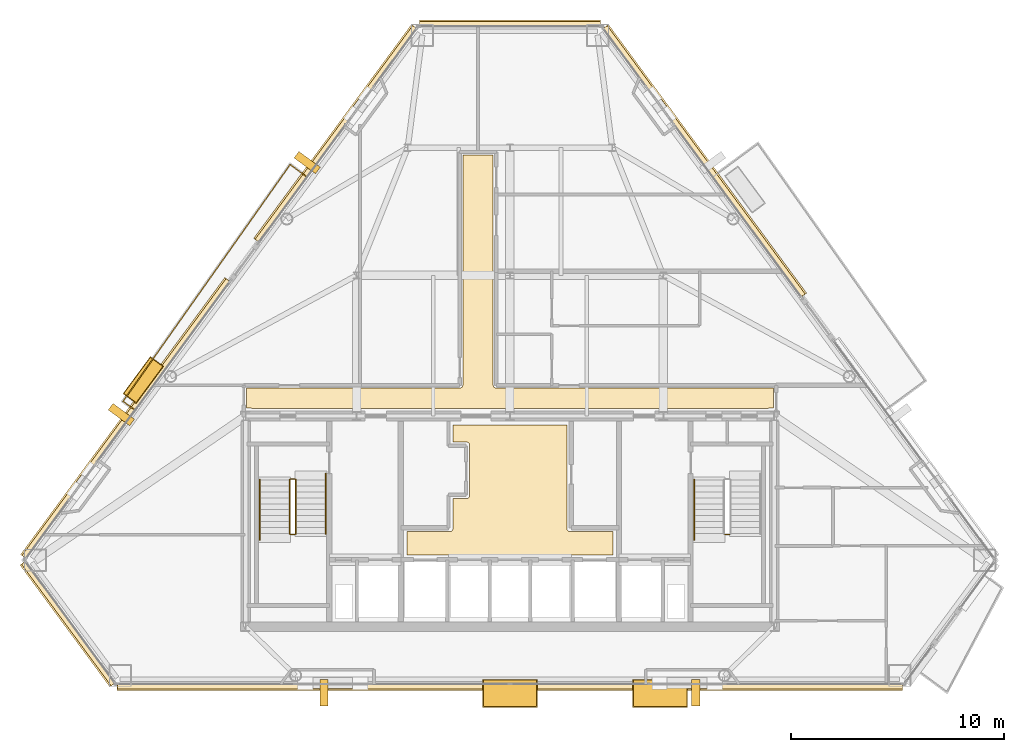
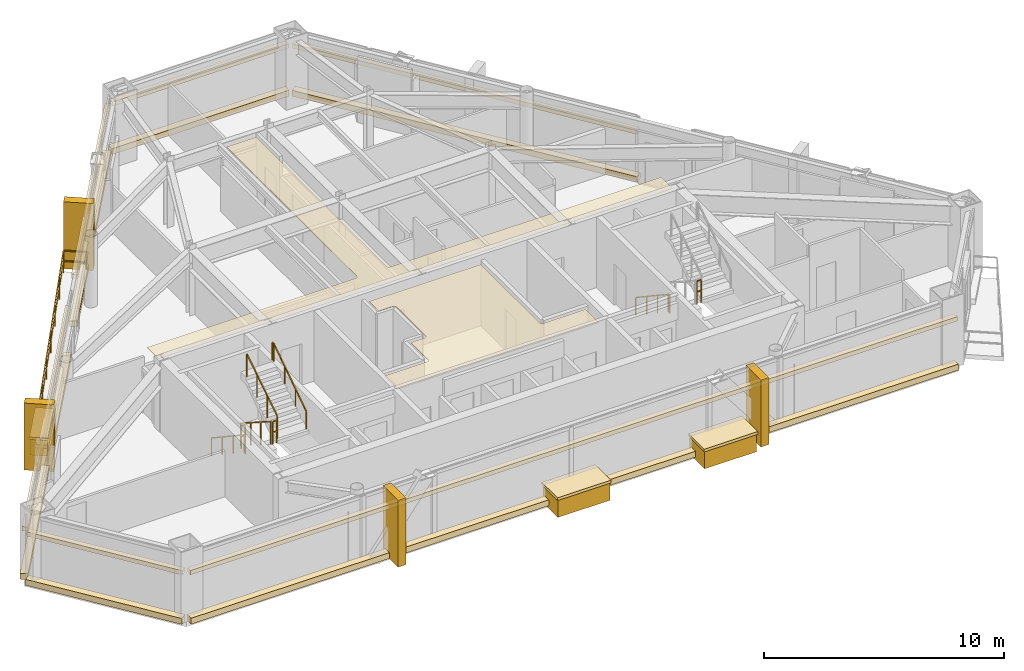
# One storey, part 10 of 11: 24 coverings, 9 railings.
"""IFC4 building model written with IfcOpenShell, lengths in metres."""

from ifc_helpers import new_model, si_unit, direction, frame, origin, origin_2d, place, context, subcontext, project, spatial, polyline, rectangle, outline, extrude, material, layer, layer_set, type_object, element, save


model = new_model("IFC4")

# Units and contexts
model_context = context("Model", 3, precision=1e-05, world=origin(), true_north=direction((0.0, 1.0)))
body_context = subcontext(model_context, "Body", "Model", "MODEL_VIEW")
ifc_project = project(units=[si_unit("LENGTHUNIT", "METRE"), si_unit("AREAUNIT", "SQUARE_METRE"), si_unit("VOLUMEUNIT", "CUBIC_METRE"), si_unit("PLANEANGLEUNIT", "RADIAN"), si_unit("MASSUNIT", "GRAM", prefix="KILO")], contexts=[model_context])

# Site, building, storey
site_placement = place(None, origin())
site = spatial("IfcSite", under=ifc_project, at=site_placement, CompositionType="ELEMENT")
building_placement = place(site_placement, origin())
building = spatial("IfcBuilding", under=site, at=building_placement, Name="Talgorran Terracotta Tower", CompositionType="ELEMENT")
storey_placement = place(building_placement, frame((0.0, 0.0, 178.5)))
storey = spatial("IfcBuildingStorey", under=building, at=storey_placement, Name="L46", CompositionType="ELEMENT", Elevation=178.5)

# Coverings
ifc_material_1 = material(Name="Kiln-Fired Terracotta Ochre Ceramic", Category="masonry")
ifc_layer_1 = layer(ifc_material_1, 0.179931640625, Name="COV_BAGUETTE_TERRACOTTA_SCREEN")
ifc_layer_set_1 = layer_set([ifc_layer_1], Name="Kiln-Fired Terracotta Ochre Ceramic")
covering_type_1 = type_object("IfcCoveringType", Name="COV_BAGUETTE_TERRACOTTA_SCREEN", PredefinedType="CLADDING", material=ifc_layer_set_1)
covering_1_placement = place(storey_placement, frame((-20.727294921875, -13.937255859375, 2.41015625), z_axis=(0.0, 0.0, 1.0), x_axis=(0.593489124579, -0.804842008724, 0.0)))
element("IfcCovering", 1, at=covering_1_placement, inside=storey, type_object=covering_type_1, Name="L46 Terracotta Baguette Solar Screen Assembly F0", PredefinedType="CLADDING", context=body_context, shape_type="SweptSolid", body=[
    extrude(rectangle(XDim=7.08544921875, YDim=0.260009765625, at=origin_2d()), origin(), (0.0, 0.0, 1.0), 0.219970703125),
])
covering_2_placement = place(storey_placement, frame((0.0, -16.885498046875, 2.41015625), z_axis=(0.0, 0.0, 1.0), x_axis=(1.0, 0.0, 0.0)))
element("IfcCovering", 2, at=covering_2_placement, inside=storey, type_object=covering_type_1, Name="L46 Terracotta Baguette Solar Screen Assembly F1", PredefinedType="CLADDING", context=body_context, shape_type="SweptSolid", body=[
    extrude(rectangle(XDim=36.865478515625, YDim=0.260009765625, at=origin_2d()), origin(), (0.0, 0.0, 1.0), 0.219970703125),
])
covering_3_placement = place(storey_placement, frame((9.107421875, 7.75439453125, 2.41015625), z_axis=(0.0, 0.0, 1.0), x_axis=(-0.593489124579, 0.804842008724, 0.0)))
element("IfcCovering", 3, at=covering_3_placement, inside=storey, type_object=covering_type_1, Name="L46 Terracotta Baguette Solar Screen Assembly F41", PredefinedType="CLADDING", context=body_context, shape_type="SweptSolid", body=[
    extrude(rectangle(XDim=15.6552734375, YDim=0.260009765625, at=origin_2d()), origin(), (0.0, 0.0, 1.0), 0.219970703125),
])
covering_4_placement = place(storey_placement, frame((0.0, 14.18359375, 2.41015625), z_axis=(0.0, 0.0, 1.0), x_axis=(-1.0, 0.0, 0.0)))
element("IfcCovering", 4, at=covering_4_placement, inside=storey, type_object=covering_type_1, Name="L46 Terracotta Baguette Solar Screen Assembly F4", PredefinedType="CLADDING", context=body_context, shape_type="SweptSolid", body=[
    extrude(rectangle(XDim=8.4921875, YDim=0.260009765625, at=origin_2d()), origin(), (0.0, 0.0, 1.0), 0.219970703125),
])
covering_5_placement = place(storey_placement, frame((-8.16064453125, 9.038330078125, 2.41015625), z_axis=(0.0, 0.0, 1.0), x_axis=(-0.593489124579, -0.804842008724, 0.0)))
element("IfcCovering", 5, at=covering_5_placement, inside=storey, type_object=covering_type_1, Name="L46 Terracotta Baguette Solar Screen Assembly F60", PredefinedType="CLADDING", context=body_context, shape_type="SweptSolid", body=[
    extrude(rectangle(XDim=12.464599609375, YDim=0.260009765625, at=origin_2d()), origin(), (0.0, 0.0, 1.0), 0.219970703125),
])
covering_6_placement = place(storey_placement, frame((-18.015380859375, -4.32568359375, 2.41015625), z_axis=(0.0, 0.0, 1.0), x_axis=(-0.593489124579, -0.804842008724, 0.0)))
element("IfcCovering", 6, at=covering_6_placement, inside=storey, type_object=covering_type_1, Name="L46 Terracotta Baguette Solar Screen Assembly F61", PredefinedType="CLADDING", context=body_context, shape_type="SweptSolid", body=[
    extrude(rectangle(XDim=16.14453125, YDim=0.260009765625, at=origin_2d()), origin(), (0.0, 0.0, 1.0), 0.219970703125),
])
ifc_material_2 = material(Name="Mineral Fibre Acoustic Tile")
ifc_layer_2 = layer(ifc_material_2, 0.02490234375, Name="COV_CEIL_ACOUSTIC")
ifc_layer_set_2 = layer_set([ifc_layer_2], Name="Mineral Fibre Acoustic Tile")
covering_type_2 = type_object("IfcCoveringType", Name="COV_CEIL_ACOUSTIC", PredefinedType="CEILING", material=ifc_layer_set_2)
covering_7_placement = place(storey_placement, frame((0.0, 0.0, 3.260009765625)))
element("IfcCovering", 7, at=covering_7_placement, inside=storey, type_object=covering_type_2, Name="CEIL-L46-2", PredefinedType="CEILING", context=body_context, shape_type="SweptSolid", body=[
    extrude(outline(polyline([(-12.364990234375, -2.885009765625), (-2.35009765625, -2.885009765625), (-2.33837890625, -2.884521484375), (-2.32666015625, -2.8828125), (-2.3154296875, -2.8798828125), (-2.30712890625, -2.87744140625), (-2.2958984375, -2.87353515625), (-2.285400390625, -2.868408203125), (-2.275146484375, -2.8623046875), (-2.265625, -2.85546875), (-2.257080078125, -2.847412109375), (-2.2490234375, -2.8388671875), (-2.243408203125, -2.83203125), (-2.236328125, -2.822509765625), (-2.230224609375, -2.8125), (-2.225341796875, -2.8017578125), (-2.22119140625, -2.79052734375), (-2.218505859375, -2.779296875), (-2.216796875, -2.767578125), (-2.216064453125, -2.755615234375), (-2.215087890625, 8.06494140625), (-0.784912109375, 8.06494140625), (-0.784912109375, -2.75), (-0.784423828125, -2.76171875), (-0.78271484375, -2.773193359375), (-0.77978515625, -2.78466796875), (-0.77734375, -2.79296875), (-0.7734375, -2.803955078125), (-0.768310546875, -2.814697265625), (-0.762451171875, -2.82470703125), (-0.75537109375, -2.834228515625), (-0.74755859375, -2.843017578125), (-0.73876953125, -2.850830078125), (-0.73193359375, -2.8564453125), (-0.722412109375, -2.863525390625), (-0.71240234375, -2.86962890625), (-0.70166015625, -2.874755859375), (-0.690673828125, -2.878662109375), (-0.67919921875, -2.881591796875), (-0.66748046875, -2.88330078125), (-0.65576171875, -2.8837890625), (12.364990234375, -2.885009765625), (12.364990234375, -3.830078125), (12.169921875, -3.830078125), (12.158203125, -3.83056640625), (12.146484375, -3.832275390625), (12.13525390625, -3.835205078125), (12.1240234375, -3.839111328125), (12.11328125, -3.84423828125), (12.112060546875, -3.844970703125), (7.432861328125, -3.844970703125), (6.968017578125, -3.843017578125), (6.967529296875, -3.843017578125), (0.232666015625, -3.844970703125), (-0.23193359375, -3.843017578125), (-0.232421875, -3.843017578125), (-6.96728515625, -3.844970703125), (-7.431884765625, -3.843017578125), (-7.4326171875, -3.843017578125), (-12.112060546875, -3.844970703125), (-12.11328125, -3.84423828125), (-12.1240234375, -3.839111328125), (-12.13525390625, -3.835205078125), (-12.146484375, -3.832275390625), (-12.158203125, -3.83056640625), (-12.169921875, -3.830078125), (-12.364990234375, -3.830078125), (-12.364990234375, -2.885009765625)])), origin(), (0.0, 0.0, 1.0), 0.02001953125),
])
ifc_material_3 = material(Name="Flush Moisture-Resistant Plaster")
ifc_layer_3 = layer(ifc_material_3, 0.01806640625, Name="COV_CEIL_PLASTER")
ifc_layer_set_3 = layer_set([ifc_layer_3], Name="Flush Moisture-Resistant Plaster")
covering_type_3 = type_object("IfcCoveringType", Name="COV_CEIL_PLASTER", PredefinedType="CEILING", material=ifc_layer_set_3)
covering_8_placement = place(storey_placement, frame((0.0, 0.0, 3.260009765625)))
element("IfcCovering", 8, at=covering_8_placement, inside=storey, type_object=covering_type_3, Name="CEIL-L46-1", PredefinedType="CEILING", context=body_context, shape_type="SweptSolid", body=[
    extrude(outline(polyline([(2.679931640625, -4.6201171875), (2.679931640625, -9.5), (2.6806640625, -9.51171875), (2.682373046875, -9.5234375), (2.685302734375, -9.534912109375), (2.689208984375, -9.5458984375), (2.694091796875, -9.556640625), (2.7001953125, -9.566650390625), (2.707275390625, -9.576171875), (2.715087890625, -9.5849609375), (2.723876953125, -9.5927734375), (2.7333984375, -9.599853515625), (2.743408203125, -9.605712890625), (2.754150390625, -9.61083984375), (2.76513671875, -9.61474609375), (2.776611328125, -9.61767578125), (2.7880859375, -9.619384765625), (2.800048828125, -9.6201171875), (4.830078125, -9.6201171875), (4.830078125, -10.72998046875), (-4.830078125, -10.72998046875), (-4.830078125, -9.6201171875), (-2.800048828125, -9.6201171875), (-2.7880859375, -9.619384765625), (-2.776611328125, -9.61767578125), (-2.76513671875, -9.61474609375), (-2.754150390625, -9.61083984375), (-2.743408203125, -9.605712890625), (-2.7333984375, -9.599853515625), (-2.723876953125, -9.5927734375), (-2.715087890625, -9.5849609375), (-2.707275390625, -9.576171875), (-2.7001953125, -9.566650390625), (-2.694091796875, -9.556640625), (-2.689208984375, -9.5458984375), (-2.685302734375, -9.534912109375), (-2.682373046875, -9.5234375), (-2.6806640625, -9.51171875), (-2.679931640625, -9.5), (-2.679931640625, -8.070068359375), (-2.02001953125, -8.070068359375), (-2.00830078125, -8.0693359375), (-1.99658203125, -8.067626953125), (-1.985107421875, -8.064697265625), (-1.97412109375, -8.060791015625), (-1.96337890625, -8.055908203125), (-1.953369140625, -8.0498046875), (-1.94384765625, -8.042724609375), (-1.93505859375, -8.034912109375), (-1.92724609375, -8.026123046875), (-1.920166015625, -8.0166015625), (-1.914306640625, -8.006591796875), (-1.9091796875, -7.995849609375), (-1.9052734375, -7.98486328125), (-1.90234375, -7.973388671875), (-1.900634765625, -7.9619140625), (-1.89990234375, -7.949951171875), (-1.89990234375, -5.550048828125), (-1.900634765625, -5.5380859375), (-1.90234375, -5.526611328125), (-1.9052734375, -5.51513671875), (-1.9091796875, -5.504150390625), (-1.914306640625, -5.493408203125), (-1.920166015625, -5.4833984375), (-1.92724609375, -5.473876953125), (-1.93505859375, -5.465087890625), (-1.94384765625, -5.457275390625), (-1.953369140625, -5.4501953125), (-1.96337890625, -5.444091796875), (-1.97412109375, -5.439208984375), (-1.985107421875, -5.435302734375), (-1.99658203125, -5.432373046875), (-2.00830078125, -5.4306640625), (-2.02001953125, -5.429931640625), (-2.679931640625, -5.429931640625), (-2.679931640625, -4.6201171875), (2.679931640625, -4.6201171875)])), origin(), (0.0, 0.0, 1.0), 0.02001953125),
])
ifc_material_4 = material(Name="Honed Limestone and Terracotta Planter", Category="masonry")
ifc_layer_4 = layer(ifc_material_4, 0.1201171875, Name="COV_PLANTER_BOX")
ifc_layer_set_4 = layer_set([ifc_layer_4], Name="Honed Limestone and Terracotta Planter")
covering_type_4 = type_object("IfcCoveringType", Name="COV_PLANTER_BOX", PredefinedType="CLADDING", material=ifc_layer_set_4)
for number, where, z_axis, x_axis, name in (
    (9, (0.0, -17.2255859375, -0.179931640625), (0.0, 0.0, 1.0), (1.0, 0.0, 0.0), "L46 Staggered South Facade Planter Box 1"),
    (10, (7.05419921875, -17.2255859375, -0.179931640625), (0.0, 0.0, 1.0), (1.0, 0.0, 0.0), "L46 Staggered South Facade Planter Box 2"),
):
    element("IfcCovering", number, at=place(storey_placement, frame(where, z_axis=z_axis, x_axis=x_axis)), inside=storey, type_object=covering_type_4, Name=name, PredefinedType="CLADDING", context=body_context, shape_type="SweptSolid", body=[
        extrude(rectangle(XDim=2.5, YDim=1.25, at=origin_2d()), origin(), (0.0, 0.0, 1.0), 0.919921875),
    ])
covering_9_placement = place(storey_placement, frame((-17.2158203125, -2.50830078125, -0.02001953125), z_axis=(0.0, 0.0, 1.0), x_axis=(-0.593489124579, -0.804842008724, 0.0)))
element("IfcCovering", 11, at=covering_9_placement, inside=storey, type_object=covering_type_4, Name="L46 Staggered Balcony Planter Box BAL-NW", PredefinedType="CLADDING", context=body_context, shape_type="SweptSolid", body=[
    extrude(rectangle(XDim=2.10009765625, YDim=0.719970703125, at=origin_2d()), origin(), (0.0, 0.0, 1.0), 0.860107421875),
])
ifc_material_5 = material(Name="Kiln-Fired Terracotta Planter Rim", Category="masonry")
ifc_layer_5 = layer(ifc_material_5, 0.10009765625, Name="COV_PLANTER_RIM")
ifc_layer_set_5 = layer_set([ifc_layer_5], Name="Kiln-Fired Terracotta Planter Rim")
covering_type_5 = type_object("IfcCoveringType", Name="COV_PLANTER_RIM", PredefinedType="CLADDING", material=ifc_layer_set_5)
for number, where, z_axis, x_axis, name in (
    (12, (0.0, -17.2255859375, 0.7099609375), (0.0, 0.0, 1.0), (1.0, 0.0, 0.0), "L46 South Planter Terracotta Rim 1"),
    (13, (7.05419921875, -17.2255859375, 0.7099609375), (0.0, 0.0, 1.0), (1.0, 0.0, 0.0), "L46 South Planter Terracotta Rim 2"),
):
    element("IfcCovering", number, at=place(storey_placement, frame(where, z_axis=z_axis, x_axis=x_axis)), inside=storey, type_object=covering_type_5, Name=name, PredefinedType="CLADDING", context=body_context, shape_type="SweptSolid", body=[
        extrude(rectangle(XDim=2.580078125, YDim=1.320068359375, at=origin_2d()), origin(), (0.0, 0.0, 1.0), 0.139892578125),
    ])
covering_10_placement = place(storey_placement, frame((-17.2158203125, -2.50830078125, 0.800048828125), z_axis=(0.0, 0.0, 1.0), x_axis=(-0.593489124579, -0.804842008724, 0.0)))
element("IfcCovering", 14, at=covering_10_placement, inside=storey, type_object=covering_type_5, Name="L46 Balcony Planter Terracotta Rim BAL-NW", PredefinedType="CLADDING", context=body_context, shape_type="SweptSolid", body=[
    extrude(rectangle(XDim=2.179931640625, YDim=0.780029296875, at=origin_2d()), origin(), (0.0, 0.0, 1.0), 0.1201171875),
])
ifc_material_6 = material(Name="Honed Limestone Cladding", Category="masonry")
ifc_layer_6 = layer(ifc_material_6, 0.094970703125, Name="COV_PORTAL_LIME")
ifc_layer_set_6 = layer_set([ifc_layer_6], Name="Honed Limestone Cladding")
covering_type_6 = type_object("IfcCoveringType", Name="COV_PORTAL_LIME", PredefinedType="CLADDING", material=ifc_layer_set_6)
covering_11_placement = place(storey_placement, frame((-20.759521484375, -13.9609375, -0.0400390625), z_axis=(0.0, 0.0, 1.0), x_axis=(0.593489124579, -0.804842008724, 0.0)))
element("IfcCovering", 15, at=covering_11_placement, inside=storey, type_object=covering_type_6, Name="L46 Striped Postmodern Portal Cladding Band F0", PredefinedType="CLADDING", context=body_context, shape_type="SweptSolid", body=[
    extrude(rectangle(XDim=7.10546875, YDim=0.340087890625, at=origin_2d()), origin(), (0.0, 0.0, 1.0), 0.300048828125),
])
covering_12_placement = place(storey_placement, frame((0.0, -16.925537109375, -0.0400390625), z_axis=(0.0, 0.0, 1.0), x_axis=(1.0, 0.0, 0.0)))
element("IfcCovering", 16, at=covering_12_placement, inside=storey, type_object=covering_type_6, Name="L46 Striped Postmodern Portal Cladding Band F1", PredefinedType="CLADDING", context=body_context, shape_type="SweptSolid", body=[
    extrude(rectangle(XDim=36.885498046875, YDim=0.340087890625, at=origin_2d()), origin(), (0.0, 0.0, 1.0), 0.300048828125),
])
covering_13_placement = place(storey_placement, frame((9.1396484375, 7.778076171875, -0.0400390625), z_axis=(0.0, 0.0, 1.0), x_axis=(-0.593489124579, 0.804842008724, 0.0)))
element("IfcCovering", 17, at=covering_13_placement, inside=storey, type_object=covering_type_6, Name="L46 Striped Postmodern Portal Cladding Band F41", PredefinedType="CLADDING", context=body_context, shape_type="SweptSolid", body=[
    extrude(rectangle(XDim=15.67529296875, YDim=0.340087890625, at=origin_2d()), origin(), (0.0, 0.0, 1.0), 0.300048828125),
])
covering_14_placement = place(storey_placement, frame((0.0, 14.2236328125, -0.0400390625), z_axis=(0.0, 0.0, 1.0), x_axis=(-1.0, 0.0, 0.0)))
element("IfcCovering", 18, at=covering_14_placement, inside=storey, type_object=covering_type_6, Name="L46 Striped Postmodern Portal Cladding Band F4", PredefinedType="CLADDING", context=body_context, shape_type="SweptSolid", body=[
    extrude(rectangle(XDim=8.51220703125, YDim=0.340087890625, at=origin_2d()), origin(), (0.0, 0.0, 1.0), 0.300048828125),
])
covering_15_placement = place(storey_placement, frame((-8.19287109375, 9.06201171875, -0.0400390625), z_axis=(0.0, 0.0, 1.0), x_axis=(-0.593489124579, -0.804842008724, 0.0)))
element("IfcCovering", 19, at=covering_15_placement, inside=storey, type_object=covering_type_6, Name="L46 Striped Postmodern Portal Cladding Band F60", PredefinedType="CLADDING", context=body_context, shape_type="SweptSolid", body=[
    extrude(rectangle(XDim=12.484619140625, YDim=0.340087890625, at=origin_2d()), origin(), (0.0, 0.0, 1.0), 0.300048828125),
])
covering_16_placement = place(storey_placement, frame((-18.047607421875, -4.3017578125, -0.0400390625), z_axis=(0.0, 0.0, 1.0), x_axis=(-0.593489124579, -0.804842008724, 0.0)))
element("IfcCovering", 20, at=covering_16_placement, inside=storey, type_object=covering_type_6, Name="L46 Striped Postmodern Portal Cladding Band F61", PredefinedType="CLADDING", context=body_context, shape_type="SweptSolid", body=[
    extrude(rectangle(XDim=16.16455078125, YDim=0.340087890625, at=origin_2d()), origin(), (0.0, 0.0, 1.0), 0.300048828125),
])
for number, where, z_axis, x_axis, name in (
    (21, (8.724853515625, -17.185546875, -0.050048828125), (0.0, 0.0, 1.0), (1.0, 0.0, 0.0), "L46 White Striped Portal Fin F1-2"),
    (22, (-18.24609375, -4.133056640625, -0.050048828125), (0.0, 0.0, 1.0), (-0.593489124579, -0.804842008724, 0.0), "L46 White Striped Portal Fin F5-2"),
):
    element("IfcCovering", number, at=place(storey_placement, frame(where, z_axis=z_axis, x_axis=x_axis)), inside=storey, type_object=covering_type_6, Name=name, PredefinedType="CLADDING", context=body_context, shape_type="SweptSolid", body=[
        extrude(rectangle(XDim=0.3798828125, YDim=1.25, at=origin_2d()), origin(), (0.0, 0.0, 1.0), 3.39990234375),
    ])
ifc_material_7 = material(Name="Kiln-Fired Terracotta Cladding", Category="masonry")
ifc_layer_7 = layer(ifc_material_7, 0.090087890625, Name="COV_PORTAL_TERRA")
ifc_layer_set_7 = layer_set([ifc_layer_7], Name="Kiln-Fired Terracotta Cladding")
covering_type_7 = type_object("IfcCoveringType", Name="COV_PORTAL_TERRA", PredefinedType="CLADDING", material=ifc_layer_set_7)
for number, where, z_axis, x_axis, name in (
    (23, (-8.724853515625, -17.185546875, -0.050048828125), (0.0, 0.0, 1.0), (1.0, 0.0, 0.0), "L46 Terracotta Striped Portal Fin F1-1"),
    (24, (-9.521240234375, 7.69873046875, -0.050048828125), (0.0, 0.0, 1.0), (-0.593489124579, -0.804842008724, 0.0), "L46 Terracotta Striped Portal Fin F5-1"),
):
    element("IfcCovering", number, at=place(storey_placement, frame(where, z_axis=z_axis, x_axis=x_axis)), inside=storey, type_object=covering_type_7, Name=name, PredefinedType="CLADDING", context=body_context, shape_type="SweptSolid", body=[
        extrude(rectangle(XDim=0.3798828125, YDim=1.25, at=origin_2d()), origin(), (0.0, 0.0, 1.0), 3.39990234375),
    ])

# Railings
ifc_material_8 = material(Name="Laminated Glass and Stainless Steel 316", Category="steel")
railing_type_1 = type_object("IfcRailingType", Name="RL_BALCONY_1150", PredefinedType="BALUSTRADE", material=ifc_material_8)
railing_1_placement = place(storey_placement, frame((-9.54150390625, 7.03125, 0.0)))
element("IfcRailing", 25, at=railing_1_placement, inside=storey, type_object=railing_type_1, Name="RL-L46-BAL-BAL-NW", PredefinedType="BALUSTRADE", context=body_context, shape_type="SweptSolid", body=[
    extrude(rectangle(XDim=0.048095703125, YDim=0.048095703125, at=origin_2d()), frame((0.0, 0.0, 1.1259765625), z_axis=(-0.804878230967, 0.59343999976, 0.0), x_axis=(-0.59343999976, -0.804878230967, 0.0)), (0.0, 0.0, 1.0), 0.967529296875),
    extrude(rectangle(XDim=0.048095703125, YDim=0.048095703125, at=origin_2d()), frame((0.0, 0.0, 0.597900390625), z_axis=(-0.804878230967, 0.59343999976, 0.0), x_axis=(-0.59343999976, -0.804878230967, 0.0)), (0.0, 0.0, 1.0), 0.967529296875),
    extrude(rectangle(XDim=0.048095703125, YDim=0.048095703125, at=origin_2d()), frame((-0.77880859375, 0.57421875, 1.1259765625), z_axis=(-0.5766338798, -0.817002673598, 0.0), x_axis=(0.817002673598, -0.5766338798, 0.0)), (0.0, 0.0, 1.0), 13.605224609375),
    extrude(rectangle(XDim=0.048095703125, YDim=0.048095703125, at=origin_2d()), frame((-0.77880859375, 0.57421875, 0.597900390625), z_axis=(-0.5766338798, -0.817002673598, 0.0), x_axis=(0.817002673598, -0.5766338798, 0.0)), (0.0, 0.0, 1.0), 13.605224609375),
    extrude(rectangle(XDim=0.048095703125, YDim=0.048095703125, at=origin_2d()), frame((-8.6240234375, -10.541259765625, 1.1259765625), z_axis=(0.804849729804, -0.593478653731, 0.0), x_axis=(0.593478653731, 0.804849729804, 0.0)), (0.0, 0.0, 1.0), 0.684814453125),
    extrude(rectangle(XDim=0.048095703125, YDim=0.048095703125, at=origin_2d()), frame((-8.6240234375, -10.541259765625, 0.597900390625), z_axis=(0.804849729804, -0.593478653731, 0.0), x_axis=(0.593478653731, 0.804849729804, 0.0)), (0.0, 0.0, 1.0), 0.684814453125),
    extrude(rectangle(XDim=0.0419921875, YDim=0.0419921875, at=origin_2d()), origin(), (0.0, 0.0, 1.0), 1.101806640625),
    extrude(rectangle(XDim=0.0419921875, YDim=0.0419921875, at=origin_2d()), frame((-0.77880859375, 0.57421875, 0.0)), (0.0, 0.0, 1.0), 1.101806640625),
    extrude(rectangle(XDim=0.0419921875, YDim=0.0419921875, at=origin_2d()), frame((-1.899658203125, -1.013671875, 0.0)), (0.0, 0.0, 1.0), 1.101806640625),
    extrude(rectangle(XDim=0.0419921875, YDim=0.0419921875, at=origin_2d()), frame((-3.020263671875, -2.6015625, 0.0)), (0.0, 0.0, 1.0), 1.101806640625),
    extrude(rectangle(XDim=0.0419921875, YDim=0.0419921875, at=origin_2d()), frame((-4.14111328125, -4.189453125, 0.0)), (0.0, 0.0, 1.0), 1.101806640625),
    extrude(rectangle(XDim=0.0419921875, YDim=0.0419921875, at=origin_2d()), frame((-5.26171875, -5.777587890625, 0.0)), (0.0, 0.0, 1.0), 1.101806640625),
    extrude(rectangle(XDim=0.0419921875, YDim=0.0419921875, at=origin_2d()), frame((-6.382568359375, -7.365478515625, 0.0)), (0.0, 0.0, 1.0), 1.101806640625),
    extrude(rectangle(XDim=0.0419921875, YDim=0.0419921875, at=origin_2d()), frame((-7.503173828125, -8.953369140625, 0.0)), (0.0, 0.0, 1.0), 1.101806640625),
    extrude(rectangle(XDim=0.0419921875, YDim=0.0419921875, at=origin_2d()), frame((-8.6240234375, -10.541259765625, 0.0)), (0.0, 0.0, 1.0), 1.101806640625),
    extrude(rectangle(XDim=0.0419921875, YDim=0.0419921875, at=origin_2d()), frame((-8.07275390625, -10.94775390625, 0.0)), (0.0, 0.0, 1.0), 1.101806640625),
])
ifc_material_9 = material(Name="Steel S355 (300PLUS)", Category="steel")
railing_type_2 = type_object("IfcRailingType", Name="RL_HANDRAIL_920", PredefinedType="HANDRAIL", material=ifc_material_9)
railing_2_placement = place(storey_placement, frame((-11.75, -7.199951171875, 0.179931640625)))
element("IfcRailing", 26, at=railing_2_placement, inside=storey, type_object=railing_type_2, Name="L46 ST-01 stair handrail 1", PredefinedType="HANDRAIL", context=body_context, shape_type="SweptSolid", body=[
    extrude(rectangle(XDim=0.048095703125, YDim=0.048095703125, at=origin_2d()), frame((0.0, 0.0, 0.89599609375), z_axis=(0.0, -0.832038719335, 0.554717558338), x_axis=(1.0, 0.0, 0.0)), (0.0, 0.0, 1.0), 3.244873046875),
    extrude(rectangle(XDim=0.048095703125, YDim=0.048095703125, at=origin_2d()), frame((0.0, -2.699951171875, 2.69580078125), z_axis=(0.0, -1.0, 0.0), x_axis=(1.0, 0.0, 0.0)), (0.0, 0.0, 1.0), 0.1201171875),
    extrude(rectangle(XDim=0.0419921875, YDim=0.0419921875, at=origin_2d()), origin(), (0.0, 0.0, 1.0), 0.871826171875),
    extrude(rectangle(XDim=0.0419921875, YDim=0.0419921875, at=origin_2d()), frame((0.0, -0.89990234375, 0.60009765625)), (0.0, 0.0, 1.0), 0.871826171875),
    extrude(rectangle(XDim=0.0419921875, YDim=0.0419921875, at=origin_2d()), frame((0.0, -1.800048828125, 1.199951171875)), (0.0, 0.0, 1.0), 0.871826171875),
    extrude(rectangle(XDim=0.0419921875, YDim=0.0419921875, at=origin_2d()), frame((0.0, -2.699951171875, 1.800048828125)), (0.0, 0.0, 1.0), 0.871826171875),
    extrude(rectangle(XDim=0.0419921875, YDim=0.0419921875, at=origin_2d()), frame((0.0, -2.820068359375, 1.800048828125)), (0.0, 0.0, 1.0), 0.871826171875),
])
railing_3_placement = place(storey_placement, frame((-8.64990234375, -9.719970703125, 1.97998046875)))
element("IfcRailing", 27, at=railing_3_placement, inside=storey, type_object=railing_type_2, Name="L46 ST-01 stair handrail 2", PredefinedType="HANDRAIL", context=body_context, shape_type="SweptSolid", body=[
    extrude(rectangle(XDim=0.048095703125, YDim=0.048095703125, at=origin_2d()), frame((0.0, 0.0, 0.89599609375), z_axis=(0.0, 0.832038719335, 0.554717558338), x_axis=(-1.0, 0.0, 0.0)), (0.0, 0.0, 1.0), 3.244873046875),
    extrude(rectangle(XDim=0.048095703125, YDim=0.048095703125, at=origin_2d()), frame((0.0, 2.699951171875, 2.69580078125), z_axis=(0.0, 1.0, 0.0), x_axis=(-1.0, 0.0, 0.0)), (0.0, 0.0, 1.0), 0.1201171875),
    extrude(rectangle(XDim=0.0419921875, YDim=0.0419921875, at=origin_2d()), origin(), (0.0, 0.0, 1.0), 0.871826171875),
    extrude(rectangle(XDim=0.0419921875, YDim=0.0419921875, at=origin_2d()), frame((0.0, 0.89990234375, 0.60009765625)), (0.0, 0.0, 1.0), 0.871826171875),
    extrude(rectangle(XDim=0.0419921875, YDim=0.0419921875, at=origin_2d()), frame((0.0, 1.800048828125, 1.199951171875)), (0.0, 0.0, 1.0), 0.871826171875),
    extrude(rectangle(XDim=0.0419921875, YDim=0.0419921875, at=origin_2d()), frame((0.0, 2.699951171875, 1.800048828125)), (0.0, 0.0, 1.0), 0.871826171875),
    extrude(rectangle(XDim=0.0419921875, YDim=0.0419921875, at=origin_2d()), frame((0.0, 2.820068359375, 1.800048828125)), (0.0, 0.0, 1.0), 0.871826171875),
])
railing_4_placement = place(storey_placement, frame((8.64990234375, -7.199951171875, 0.179931640625)))
element("IfcRailing", 28, at=railing_4_placement, inside=storey, type_object=railing_type_2, Name="L46 ST-02 stair handrail 1", PredefinedType="HANDRAIL", context=body_context, shape_type="SweptSolid", body=[
    extrude(rectangle(XDim=0.048095703125, YDim=0.048095703125, at=origin_2d()), frame((0.0, 0.0, 0.89599609375), z_axis=(0.0, -0.832038719335, 0.554717558338), x_axis=(1.0, 0.0, 0.0)), (0.0, 0.0, 1.0), 3.244873046875),
    extrude(rectangle(XDim=0.048095703125, YDim=0.048095703125, at=origin_2d()), frame((0.0, -2.699951171875, 2.69580078125), z_axis=(0.0, -1.0, 0.0), x_axis=(1.0, 0.0, 0.0)), (0.0, 0.0, 1.0), 0.1201171875),
    extrude(rectangle(XDim=0.0419921875, YDim=0.0419921875, at=origin_2d()), origin(), (0.0, 0.0, 1.0), 0.871826171875),
    extrude(rectangle(XDim=0.0419921875, YDim=0.0419921875, at=origin_2d()), frame((0.0, -0.89990234375, 0.60009765625)), (0.0, 0.0, 1.0), 0.871826171875),
    extrude(rectangle(XDim=0.0419921875, YDim=0.0419921875, at=origin_2d()), frame((0.0, -1.800048828125, 1.199951171875)), (0.0, 0.0, 1.0), 0.871826171875),
    extrude(rectangle(XDim=0.0419921875, YDim=0.0419921875, at=origin_2d()), frame((0.0, -2.699951171875, 1.800048828125)), (0.0, 0.0, 1.0), 0.871826171875),
    extrude(rectangle(XDim=0.0419921875, YDim=0.0419921875, at=origin_2d()), frame((0.0, -2.820068359375, 1.800048828125)), (0.0, 0.0, 1.0), 0.871826171875),
])
railing_type_3 = type_object("IfcRailingType", Name="RL_STAIR_GUARD", PredefinedType="GUARDRAIL", material=ifc_material_9)
railing_5_placement = place(storey_placement, frame((-10.35009765625, -7.199951171875, 0.179931640625)))
element("IfcRailing", 29, at=railing_5_placement, inside=storey, type_object=railing_type_3, Name="L46 ST-01 stair guard 1", PredefinedType="GUARDRAIL", context=body_context, shape_type="SweptSolid", body=[
    extrude(rectangle(XDim=0.048095703125, YDim=0.048095703125, at=origin_2d()), frame((0.0, 0.0, 1.15576171875), z_axis=(0.0, -0.841162588446, 0.540782303519), x_axis=(1.0, 0.0, 0.0)), (0.0, 0.0, 1.0), 2.995849609375),
    extrude(rectangle(XDim=0.0419921875, YDim=0.0419921875, at=origin_2d()), origin(), (0.0, 0.0, 1.0), 1.1318359375),
    extrude(rectangle(XDim=0.0419921875, YDim=0.0419921875, at=origin_2d()), frame((0.0, -0.840087890625, 0.5400390625)), (0.0, 0.0, 1.0), 1.1318359375),
    extrude(rectangle(XDim=0.0419921875, YDim=0.0419921875, at=origin_2d()), frame((0.0, -1.679931640625, 1.080078125)), (0.0, 0.0, 1.0), 1.1318359375),
    extrude(rectangle(XDim=0.0419921875, YDim=0.0419921875, at=origin_2d()), frame((0.0, -2.52001953125, 1.6201171875)), (0.0, 0.0, 1.0), 1.1318359375),
])
railing_6_placement = place(storey_placement, frame((-10.300048828125, -9.77001953125, 1.800048828125)))
element("IfcRailing", 30, at=railing_6_placement, inside=storey, type_object=railing_type_3, Name="L46 ST-01 stair guard 2", PredefinedType="GUARDRAIL", context=body_context, shape_type="SweptSolid", body=[
    extrude(rectangle(XDim=0.048095703125, YDim=0.048095703125, at=origin_2d()), frame((0.0, 0.0, 1.15576171875), z_axis=(1.0, 0.0, 0.0), x_axis=(0.0, 1.0, 0.0)), (0.0, 0.0, 1.0), 0.199951171875),
    extrude(rectangle(XDim=0.048095703125, YDim=0.048095703125, at=origin_2d()), frame((0.0, 0.0, 0.613525390625), z_axis=(1.0, 0.0, 0.0), x_axis=(0.0, 1.0, 0.0)), (0.0, 0.0, 1.0), 0.199951171875),
    extrude(rectangle(XDim=0.0419921875, YDim=0.0419921875, at=origin_2d()), origin(), (0.0, 0.0, 1.0), 1.1318359375),
    extrude(rectangle(XDim=0.0419921875, YDim=0.0419921875, at=origin_2d()), frame((0.199951171875, 0.0, 0.0)), (0.0, 0.0, 1.0), 1.1318359375),
])
railing_7_placement = place(storey_placement, frame((-10.050048828125, -9.719970703125, 1.97998046875)))
element("IfcRailing", 31, at=railing_7_placement, inside=storey, type_object=railing_type_3, Name="L46 ST-01 stair guard 3", PredefinedType="GUARDRAIL", context=body_context, shape_type="SweptSolid", body=[
    extrude(rectangle(XDim=0.048095703125, YDim=0.048095703125, at=origin_2d()), frame((0.0, 0.0, 1.15576171875), z_axis=(0.0, 0.841162588446, 0.540782303519), x_axis=(-1.0, 0.0, 0.0)), (0.0, 0.0, 1.0), 2.995849609375),
    extrude(rectangle(XDim=0.0419921875, YDim=0.0419921875, at=origin_2d()), origin(), (0.0, 0.0, 1.0), 1.1318359375),
    extrude(rectangle(XDim=0.0419921875, YDim=0.0419921875, at=origin_2d()), frame((0.0, 0.840087890625, 0.5400390625)), (0.0, 0.0, 1.0), 1.1318359375),
    extrude(rectangle(XDim=0.0419921875, YDim=0.0419921875, at=origin_2d()), frame((0.0, 1.679931640625, 1.080078125)), (0.0, 0.0, 1.0), 1.1318359375),
    extrude(rectangle(XDim=0.0419921875, YDim=0.0419921875, at=origin_2d()), frame((0.0, 2.52001953125, 1.6201171875)), (0.0, 0.0, 1.0), 1.1318359375),
])
for number, where, name in (
    (32, (-10.300048828125, -7.14990234375, 0.0), "L46 ST-01 stair guard 4"),
    (33, (10.10009765625, -9.77001953125, 1.800048828125), "L46 ST-02 stair guard 2"),
):
    element("IfcRailing", number, at=place(storey_placement, frame(where)), inside=storey, type_object=railing_type_3, Name=name, PredefinedType="GUARDRAIL", context=body_context, shape_type="SweptSolid", body=[
        extrude(rectangle(XDim=0.048095703125, YDim=0.048095703125, at=origin_2d()), frame((0.0, 0.0, 1.15576171875), z_axis=(1.0, 0.0, 0.0), x_axis=(0.0, 1.0, 0.0)), (0.0, 0.0, 1.0), 0.199951171875),
        extrude(rectangle(XDim=0.048095703125, YDim=0.048095703125, at=origin_2d()), frame((0.0, 0.0, 0.613525390625), z_axis=(1.0, 0.0, 0.0), x_axis=(0.0, 1.0, 0.0)), (0.0, 0.0, 1.0), 0.199951171875),
        extrude(rectangle(XDim=0.0419921875, YDim=0.0419921875, at=origin_2d()), origin(), (0.0, 0.0, 1.0), 1.1318359375),
        extrude(rectangle(XDim=0.0419921875, YDim=0.0419921875, at=origin_2d()), frame((0.199951171875, 0.0, 0.0)), (0.0, 0.0, 1.0), 1.1318359375),
    ])

save(model, "model.ifc")
